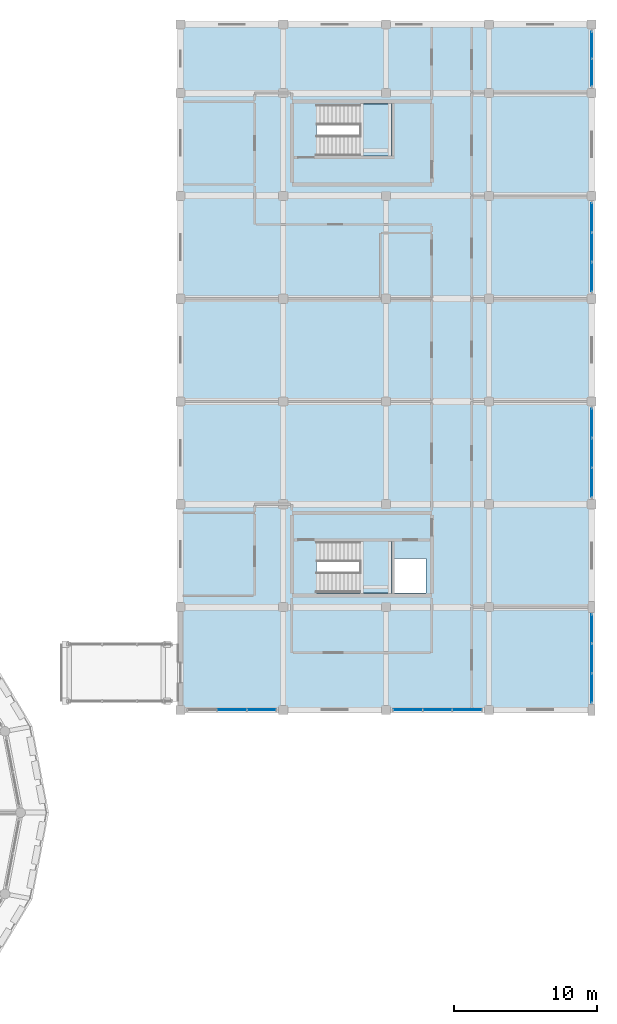
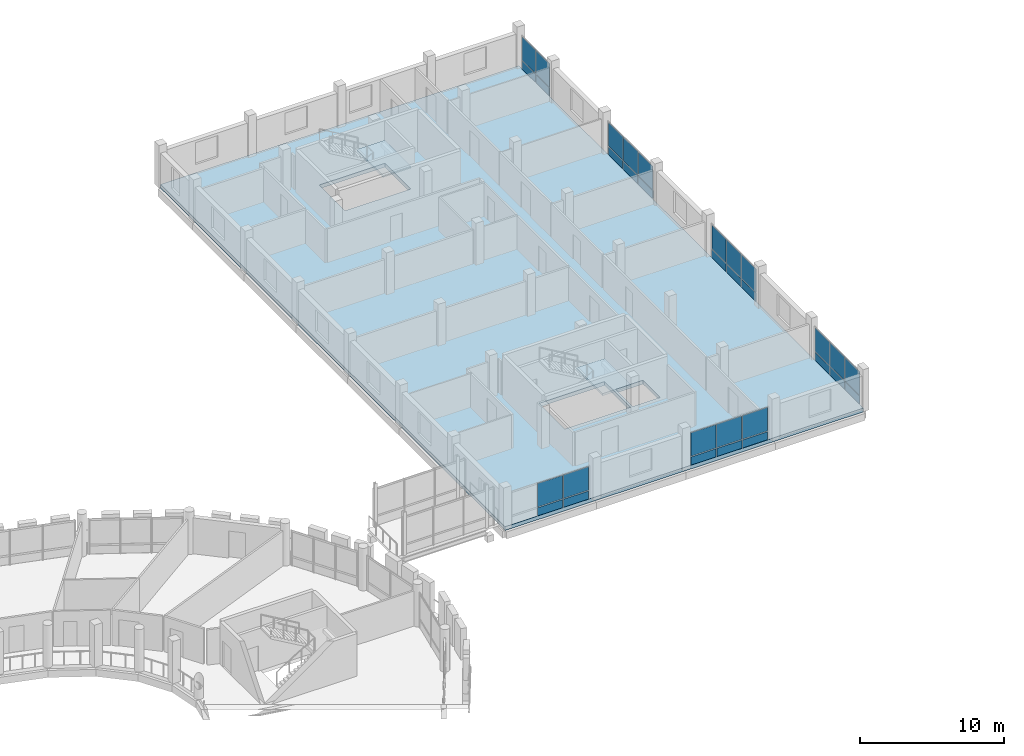
# One storey, part 103 of 128: 32 plates, 3 slabs, 8 elements without a shape of their own.
"""IFC4 building model written with IfcOpenShell, lengths in metres."""

from ifc_helpers import new_model, si_unit, direction, frame, origin, origin_2d, place, context, subcontext, project, spatial, polyline, rectangle, outline, extrude, material, layer, layer_set, type_object, element, aggregate, save


model = new_model("IFC4")

# Units and contexts
model_context = context("Model", 3, precision=1e-05, world=origin(), true_north=direction((0.0, 1.0)))
body_context = subcontext(model_context, "Body", "Model", "MODEL_VIEW")
ifc_project = project(units=[si_unit("LENGTHUNIT", "METRE"), si_unit("AREAUNIT", "SQUARE_METRE"), si_unit("VOLUMEUNIT", "CUBIC_METRE"), si_unit("PLANEANGLEUNIT", "RADIAN"), si_unit("MASSUNIT", "GRAM", prefix="KILO")], contexts=[model_context])

# Site, building, storey
site_placement = place(None, origin())
site = spatial("IfcSite", under=ifc_project, at=site_placement, CompositionType="ELEMENT")
building_placement = place(site_placement, origin())
building = spatial("IfcBuilding", under=site, at=building_placement, Name="Zornivar Specialist Clinic", CompositionType="ELEMENT")
storey_placement = place(building_placement, frame((0.0, 0.0, 4.5)))
storey = spatial("IfcBuildingStorey", under=building, at=storey_placement, Name="L01", CompositionType="ELEMENT", Elevation=4.5)

# Curtain wall, plates
ifc_material_1 = material(Name="Aluminium and Low-E Glass Curtain Wall", Category="aluminium")
curtain_wall_type = type_object("IfcCurtainWallType", Name="CW-LAB-NORTH", PredefinedType="NOTDEFINED", material=ifc_material_1)
curtain_wall_1_placement = place(storey_placement, origin())
curtain_wall_1 = element("IfcCurtainWall", 1, at=curtain_wall_1_placement, inside=storey, type_object=curtain_wall_type, Name="cw:V6:L01:00", PredefinedType="NOTDEFINED")
ifc_material_2 = material(Name="Insulated Limestone-Faced Spandrel Panel", Category="masonry")
ifc_layer_1 = layer(ifc_material_2, 0.05810546875)
ifc_layer_set_1 = layer_set([ifc_layer_1], Name="Insulated Limestone-Faced Spandrel Panel")
plate_type_1 = type_object("IfcPlateType", Name="CWP-SPN-D", PredefinedType="CURTAIN_PANEL", material=ifc_layer_set_1)
plate_1_placement = place(storey_placement, frame((140.39990234375, 64.800048828125, 0.030029296875), z_axis=(0.0, 0.0, 1.0), x_axis=(1.0, 0.0, 0.0)))
plate_1 = element("IfcPlate", 2, at=plate_1_placement, type_object=plate_type_1, Name="cw:V6:L01:00:spn:1", PredefinedType="CURTAIN_PANEL", context=body_context, shape_type="SweptSolid", body=[
    extrude(rectangle(XDim=2.010009765625, YDim=0.05810546875, at=origin_2d()), origin(), (0.0, 0.0, 1.0), 0.68603515625),
])
plate_2_placement = place(storey_placement, frame((142.47998046875, 64.800048828125, 0.030029296875), z_axis=(0.0, 0.0, 1.0), x_axis=(1.0, 0.0, 0.0)))
plate_2 = element("IfcPlate", 3, at=plate_2_placement, type_object=plate_type_1, Name="cw:V6:L01:00:spn:2", PredefinedType="CURTAIN_PANEL", context=body_context, shape_type="SweptSolid", body=[
    extrude(rectangle(XDim=2.010009765625, YDim=0.05810546875, at=origin_2d()), origin(), (0.0, 0.0, 1.0), 0.68603515625),
])

curtain_wall_2_placement = place(storey_placement, origin())
curtain_wall_2 = element("IfcCurtainWall", 4, at=curtain_wall_2_placement, inside=storey, type_object=curtain_wall_type, Name="cw:V6:L01:02", PredefinedType="NOTDEFINED")
plate_3_placement = place(storey_placement, frame((152.719970703125, 64.800048828125, 0.030029296875), z_axis=(0.0, 0.0, 1.0), x_axis=(1.0, 0.0, 0.0)))
plate_3 = element("IfcPlate", 5, at=plate_3_placement, type_object=plate_type_1, Name="cw:V6:L01:02:spn:0", PredefinedType="CURTAIN_PANEL", context=body_context, shape_type="SweptSolid", body=[
    extrude(rectangle(XDim=2.010009765625, YDim=0.05810546875, at=origin_2d()), origin(), (0.0, 0.0, 1.0), 0.68603515625),
])
plate_4_placement = place(storey_placement, frame((154.800048828125, 64.800048828125, 0.030029296875), z_axis=(0.0, 0.0, 1.0), x_axis=(1.0, 0.0, 0.0)))
plate_4 = element("IfcPlate", 6, at=plate_4_placement, type_object=plate_type_1, Name="cw:V6:L01:02:spn:1", PredefinedType="CURTAIN_PANEL", context=body_context, shape_type="SweptSolid", body=[
    extrude(rectangle(XDim=2.010009765625, YDim=0.05810546875, at=origin_2d()), origin(), (0.0, 0.0, 1.0), 0.68603515625),
])
plate_5_placement = place(storey_placement, frame((156.8798828125, 64.800048828125, 0.030029296875), z_axis=(0.0, 0.0, 1.0), x_axis=(1.0, 0.0, 0.0)))
plate_5 = element("IfcPlate", 7, at=plate_5_placement, type_object=plate_type_1, Name="cw:V6:L01:02:spn:2", PredefinedType="CURTAIN_PANEL", context=body_context, shape_type="SweptSolid", body=[
    extrude(rectangle(XDim=2.010009765625, YDim=0.05810546875, at=origin_2d()), origin(), (0.0, 0.0, 1.0), 0.68603515625),
])

curtain_wall_3_placement = place(storey_placement, origin())
curtain_wall_3 = element("IfcCurtainWall", 8, at=curtain_wall_3_placement, inside=storey, type_object=curtain_wall_type, Name="cw:V6:L01:04", PredefinedType="NOTDEFINED")
plate_6_placement = place(storey_placement, frame((165.60009765625, 66.320068359375, 0.030029296875), z_axis=(0.0, 0.0, 1.0), x_axis=(0.0, 1.0, 0.0)))
plate_6 = element("IfcPlate", 9, at=plate_6_placement, type_object=plate_type_1, Name="cw:V6:L01:04:spn:0", PredefinedType="CURTAIN_PANEL", context=body_context, shape_type="SweptSolid", body=[
    extrude(rectangle(XDim=2.010009765625, YDim=0.05810546875, at=origin_2d()), origin(), (0.0, 0.0, 1.0), 0.68603515625),
])
plate_7_placement = place(storey_placement, frame((165.60009765625, 68.39990234375, 0.030029296875), z_axis=(0.0, 0.0, 1.0), x_axis=(0.0, 1.0, 0.0)))
plate_7 = element("IfcPlate", 10, at=plate_7_placement, type_object=plate_type_1, Name="cw:V6:L01:04:spn:1", PredefinedType="CURTAIN_PANEL", context=body_context, shape_type="SweptSolid", body=[
    extrude(rectangle(XDim=2.010009765625, YDim=0.05810546875, at=origin_2d()), origin(), (0.0, 0.0, 1.0), 0.68603515625),
])
plate_8_placement = place(storey_placement, frame((165.60009765625, 70.47998046875, 0.030029296875), z_axis=(0.0, 0.0, 1.0), x_axis=(0.0, 1.0, 0.0)))
plate_8 = element("IfcPlate", 11, at=plate_8_placement, type_object=plate_type_1, Name="cw:V6:L01:04:spn:2", PredefinedType="CURTAIN_PANEL", context=body_context, shape_type="SweptSolid", body=[
    extrude(rectangle(XDim=2.010009765625, YDim=0.05810546875, at=origin_2d()), origin(), (0.0, 0.0, 1.0), 0.68603515625),
])

curtain_wall_4_placement = place(storey_placement, origin())
curtain_wall_4 = element("IfcCurtainWall", 12, at=curtain_wall_4_placement, inside=storey, type_object=curtain_wall_type, Name="cw:V6:L01:06", PredefinedType="NOTDEFINED")
plate_9_placement = place(storey_placement, frame((165.60009765625, 80.719970703125, 0.030029296875), z_axis=(0.0, 0.0, 1.0), x_axis=(0.0, 1.0, 0.0)))
plate_9 = element("IfcPlate", 13, at=plate_9_placement, type_object=plate_type_1, Name="cw:V6:L01:06:spn:0", PredefinedType="CURTAIN_PANEL", context=body_context, shape_type="SweptSolid", body=[
    extrude(rectangle(XDim=2.010009765625, YDim=0.05810546875, at=origin_2d()), origin(), (0.0, 0.0, 1.0), 0.68603515625),
])
plate_10_placement = place(storey_placement, frame((165.60009765625, 82.800048828125, 0.030029296875), z_axis=(0.0, 0.0, 1.0), x_axis=(0.0, 1.0, 0.0)))
plate_10 = element("IfcPlate", 14, at=plate_10_placement, type_object=plate_type_1, Name="cw:V6:L01:06:spn:1", PredefinedType="CURTAIN_PANEL", context=body_context, shape_type="SweptSolid", body=[
    extrude(rectangle(XDim=2.010009765625, YDim=0.05810546875, at=origin_2d()), origin(), (0.0, 0.0, 1.0), 0.68603515625),
])
plate_11_placement = place(storey_placement, frame((165.60009765625, 84.8798828125, 0.030029296875), z_axis=(0.0, 0.0, 1.0), x_axis=(0.0, 1.0, 0.0)))
plate_11 = element("IfcPlate", 15, at=plate_11_placement, type_object=plate_type_1, Name="cw:V6:L01:06:spn:2", PredefinedType="CURTAIN_PANEL", context=body_context, shape_type="SweptSolid", body=[
    extrude(rectangle(XDim=2.010009765625, YDim=0.05810546875, at=origin_2d()), origin(), (0.0, 0.0, 1.0), 0.68603515625),
])

curtain_wall_5_placement = place(storey_placement, origin())
curtain_wall_5 = element("IfcCurtainWall", 16, at=curtain_wall_5_placement, inside=storey, type_object=curtain_wall_type, Name="cw:V6:L01:08", PredefinedType="NOTDEFINED")
plate_12_placement = place(storey_placement, frame((165.60009765625, 95.1201171875, 0.030029296875), z_axis=(0.0, 0.0, 1.0), x_axis=(0.0, 1.0, 0.0)))
plate_12 = element("IfcPlate", 17, at=plate_12_placement, type_object=plate_type_1, Name="cw:V6:L01:08:spn:0", PredefinedType="CURTAIN_PANEL", context=body_context, shape_type="SweptSolid", body=[
    extrude(rectangle(XDim=2.010009765625, YDim=0.05810546875, at=origin_2d()), origin(), (0.0, 0.0, 1.0), 0.68603515625),
])
plate_13_placement = place(storey_placement, frame((165.60009765625, 97.199951171875, 0.030029296875), z_axis=(0.0, 0.0, 1.0), x_axis=(0.0, 1.0, 0.0)))
plate_13 = element("IfcPlate", 18, at=plate_13_placement, type_object=plate_type_1, Name="cw:V6:L01:08:spn:1", PredefinedType="CURTAIN_PANEL", context=body_context, shape_type="SweptSolid", body=[
    extrude(rectangle(XDim=2.010009765625, YDim=0.05810546875, at=origin_2d()), origin(), (0.0, 0.0, 1.0), 0.68603515625),
])
plate_14_placement = place(storey_placement, frame((165.60009765625, 99.280029296875, 0.030029296875), z_axis=(0.0, 0.0, 1.0), x_axis=(0.0, 1.0, 0.0)))
plate_14 = element("IfcPlate", 19, at=plate_14_placement, type_object=plate_type_1, Name="cw:V6:L01:08:spn:2", PredefinedType="CURTAIN_PANEL", context=body_context, shape_type="SweptSolid", body=[
    extrude(rectangle(XDim=2.010009765625, YDim=0.05810546875, at=origin_2d()), origin(), (0.0, 0.0, 1.0), 0.68603515625),
])

curtain_wall_6_placement = place(storey_placement, origin())
curtain_wall_6 = element("IfcCurtainWall", 20, at=curtain_wall_6_placement, inside=storey, type_object=curtain_wall_type, Name="cw:V6:L01:10", PredefinedType="NOTDEFINED")
plate_15_placement = place(storey_placement, frame((165.60009765625, 109.43994140625, 0.030029296875), z_axis=(0.0, 0.0, 1.0), x_axis=(0.0, 1.0, 0.0)))
plate_15 = element("IfcPlate", 21, at=plate_15_placement, type_object=plate_type_1, Name="cw:V6:L01:10:spn:0", PredefinedType="CURTAIN_PANEL", context=body_context, shape_type="SweptSolid", body=[
    extrude(rectangle(XDim=1.85009765625, YDim=0.05810546875, at=origin_2d()), origin(), (0.0, 0.0, 1.0), 0.68603515625),
])
plate_16_placement = place(storey_placement, frame((165.60009765625, 111.360107421875, 0.030029296875), z_axis=(0.0, 0.0, 1.0), x_axis=(0.0, 1.0, 0.0)))
plate_16 = element("IfcPlate", 22, at=plate_16_placement, type_object=plate_type_1, Name="cw:V6:L01:10:spn:1", PredefinedType="CURTAIN_PANEL", context=body_context, shape_type="SweptSolid", body=[
    extrude(rectangle(XDim=1.85009765625, YDim=0.05810546875, at=origin_2d()), origin(), (0.0, 0.0, 1.0), 0.68603515625),
])

# Plate
ifc_material_3 = material(Name="Triple Low-E Vision Glass", Category="glass")
ifc_layer_2 = layer(ifc_material_3, 0.035888671875)
ifc_layer_set_2 = layer_set([ifc_layer_2], Name="Triple Low-E Vision Glass")
plate_type_2 = type_object("IfcPlateType", Name="CWP-VIS-F", PredefinedType="CURTAIN_PANEL", material=ifc_layer_set_2)
plate_17_placement = place(storey_placement, frame((140.39990234375, 64.800048828125, 0.78125), z_axis=(0.0, 0.0, 1.0), x_axis=(1.0, 0.0, 0.0)))
plate_17 = element("IfcPlate", 23, at=plate_17_placement, type_object=plate_type_2, Name="cw:V6:L01:00:vis:1", PredefinedType="CURTAIN_PANEL", context=body_context, shape_type="SweptSolid", body=[
    extrude(rectangle(XDim=2.010009765625, YDim=0.035888671875, at=origin_2d()), origin(), (0.0, 0.0, 1.0), 1.989013671875),
])

plate_18_placement = place(storey_placement, frame((142.47998046875, 64.800048828125, 0.78125), z_axis=(0.0, 0.0, 1.0), x_axis=(1.0, 0.0, 0.0)))
plate_18 = element("IfcPlate", 24, at=plate_18_placement, type_object=plate_type_2, Name="cw:V6:L01:00:vis:2", PredefinedType="CURTAIN_PANEL", context=body_context, shape_type="SweptSolid", body=[
    extrude(rectangle(XDim=2.010009765625, YDim=0.035888671875, at=origin_2d()), origin(), (0.0, 0.0, 1.0), 1.989013671875),
])

aggregate(curtain_wall_1, [plate_1, plate_17, plate_2, plate_18])

plate_19_placement = place(storey_placement, frame((165.60009765625, 66.320068359375, 0.78125), z_axis=(0.0, 0.0, 1.0), x_axis=(0.0, 1.0, 0.0)))
plate_19 = element("IfcPlate", 25, at=plate_19_placement, type_object=plate_type_2, Name="cw:V6:L01:04:vis:0", PredefinedType="CURTAIN_PANEL", context=body_context, shape_type="SweptSolid", body=[
    extrude(rectangle(XDim=2.010009765625, YDim=0.035888671875, at=origin_2d()), origin(), (0.0, 0.0, 1.0), 1.989013671875),
])

plate_20_placement = place(storey_placement, frame((165.60009765625, 68.39990234375, 0.78125), z_axis=(0.0, 0.0, 1.0), x_axis=(0.0, 1.0, 0.0)))
plate_20 = element("IfcPlate", 26, at=plate_20_placement, type_object=plate_type_2, Name="cw:V6:L01:04:vis:1", PredefinedType="CURTAIN_PANEL", context=body_context, shape_type="SweptSolid", body=[
    extrude(rectangle(XDim=2.010009765625, YDim=0.035888671875, at=origin_2d()), origin(), (0.0, 0.0, 1.0), 1.989013671875),
])

plate_21_placement = place(storey_placement, frame((165.60009765625, 70.47998046875, 0.78125), z_axis=(0.0, 0.0, 1.0), x_axis=(0.0, 1.0, 0.0)))
plate_21 = element("IfcPlate", 27, at=plate_21_placement, type_object=plate_type_2, Name="cw:V6:L01:04:vis:2", PredefinedType="CURTAIN_PANEL", context=body_context, shape_type="SweptSolid", body=[
    extrude(rectangle(XDim=2.010009765625, YDim=0.035888671875, at=origin_2d()), origin(), (0.0, 0.0, 1.0), 1.989013671875),
])

aggregate(curtain_wall_3, [plate_6, plate_19, plate_7, plate_20, plate_8, plate_21])

plate_22_placement = place(storey_placement, frame((165.60009765625, 95.1201171875, 0.78125), z_axis=(0.0, 0.0, 1.0), x_axis=(0.0, 1.0, 0.0)))
plate_22 = element("IfcPlate", 28, at=plate_22_placement, type_object=plate_type_2, Name="cw:V6:L01:08:vis:0", PredefinedType="CURTAIN_PANEL", context=body_context, shape_type="SweptSolid", body=[
    extrude(rectangle(XDim=2.010009765625, YDim=0.035888671875, at=origin_2d()), origin(), (0.0, 0.0, 1.0), 1.989013671875),
])

plate_23_placement = place(storey_placement, frame((165.60009765625, 97.199951171875, 0.78125), z_axis=(0.0, 0.0, 1.0), x_axis=(0.0, 1.0, 0.0)))
plate_23 = element("IfcPlate", 29, at=plate_23_placement, type_object=plate_type_2, Name="cw:V6:L01:08:vis:1", PredefinedType="CURTAIN_PANEL", context=body_context, shape_type="SweptSolid", body=[
    extrude(rectangle(XDim=2.010009765625, YDim=0.035888671875, at=origin_2d()), origin(), (0.0, 0.0, 1.0), 1.989013671875),
])

plate_24_placement = place(storey_placement, frame((165.60009765625, 99.280029296875, 0.78125), z_axis=(0.0, 0.0, 1.0), x_axis=(0.0, 1.0, 0.0)))
plate_24 = element("IfcPlate", 30, at=plate_24_placement, type_object=plate_type_2, Name="cw:V6:L01:08:vis:2", PredefinedType="CURTAIN_PANEL", context=body_context, shape_type="SweptSolid", body=[
    extrude(rectangle(XDim=2.010009765625, YDim=0.035888671875, at=origin_2d()), origin(), (0.0, 0.0, 1.0), 1.989013671875),
])

aggregate(curtain_wall_5, [plate_12, plate_22, plate_13, plate_23, plate_14, plate_24])

ifc_material_4 = material(Name="Triple Low-E Vision Glass", Category="glass")
ifc_layer_3 = layer(ifc_material_4, 0.035888671875)
ifc_layer_set_3 = layer_set([ifc_layer_3], Name="Triple Low-E Vision Glass")
plate_type_3 = type_object("IfcPlateType", Name="CWP-VIS-G", PredefinedType="CURTAIN_PANEL", material=ifc_layer_set_3)
plate_25_placement = place(storey_placement, frame((152.719970703125, 64.800048828125, 0.78125), z_axis=(0.0, 0.0, 1.0), x_axis=(1.0, 0.0, 0.0)))
plate_25 = element("IfcPlate", 31, at=plate_25_placement, type_object=plate_type_3, Name="cw:V6:L01:02:vis:0", PredefinedType="CURTAIN_PANEL", context=body_context, shape_type="SweptSolid", body=[
    extrude(rectangle(XDim=2.010009765625, YDim=0.035888671875, at=origin_2d()), origin(), (0.0, 0.0, 1.0), 1.989013671875),
])

plate_26_placement = place(storey_placement, frame((154.800048828125, 64.800048828125, 0.78125), z_axis=(0.0, 0.0, 1.0), x_axis=(1.0, 0.0, 0.0)))
plate_26 = element("IfcPlate", 32, at=plate_26_placement, type_object=plate_type_3, Name="cw:V6:L01:02:vis:1", PredefinedType="CURTAIN_PANEL", context=body_context, shape_type="SweptSolid", body=[
    extrude(rectangle(XDim=2.010009765625, YDim=0.035888671875, at=origin_2d()), origin(), (0.0, 0.0, 1.0), 1.989013671875),
])

plate_27_placement = place(storey_placement, frame((156.8798828125, 64.800048828125, 0.78125), z_axis=(0.0, 0.0, 1.0), x_axis=(1.0, 0.0, 0.0)))
plate_27 = element("IfcPlate", 33, at=plate_27_placement, type_object=plate_type_3, Name="cw:V6:L01:02:vis:2", PredefinedType="CURTAIN_PANEL", context=body_context, shape_type="SweptSolid", body=[
    extrude(rectangle(XDim=2.010009765625, YDim=0.035888671875, at=origin_2d()), origin(), (0.0, 0.0, 1.0), 1.989013671875),
])

aggregate(curtain_wall_2, [plate_3, plate_25, plate_4, plate_26, plate_5, plate_27])

plate_28_placement = place(storey_placement, frame((165.60009765625, 80.719970703125, 0.78125), z_axis=(0.0, 0.0, 1.0), x_axis=(0.0, 1.0, 0.0)))
plate_28 = element("IfcPlate", 34, at=plate_28_placement, type_object=plate_type_3, Name="cw:V6:L01:06:vis:0", PredefinedType="CURTAIN_PANEL", context=body_context, shape_type="SweptSolid", body=[
    extrude(rectangle(XDim=2.010009765625, YDim=0.035888671875, at=origin_2d()), origin(), (0.0, 0.0, 1.0), 1.989013671875),
])

plate_29_placement = place(storey_placement, frame((165.60009765625, 82.800048828125, 0.78125), z_axis=(0.0, 0.0, 1.0), x_axis=(0.0, 1.0, 0.0)))
plate_29 = element("IfcPlate", 35, at=plate_29_placement, type_object=plate_type_3, Name="cw:V6:L01:06:vis:1", PredefinedType="CURTAIN_PANEL", context=body_context, shape_type="SweptSolid", body=[
    extrude(rectangle(XDim=2.010009765625, YDim=0.035888671875, at=origin_2d()), origin(), (0.0, 0.0, 1.0), 1.989013671875),
])

plate_30_placement = place(storey_placement, frame((165.60009765625, 84.8798828125, 0.78125), z_axis=(0.0, 0.0, 1.0), x_axis=(0.0, 1.0, 0.0)))
plate_30 = element("IfcPlate", 36, at=plate_30_placement, type_object=plate_type_3, Name="cw:V6:L01:06:vis:2", PredefinedType="CURTAIN_PANEL", context=body_context, shape_type="SweptSolid", body=[
    extrude(rectangle(XDim=2.010009765625, YDim=0.035888671875, at=origin_2d()), origin(), (0.0, 0.0, 1.0), 1.989013671875),
])

aggregate(curtain_wall_4, [plate_9, plate_28, plate_10, plate_29, plate_11, plate_30])

plate_31_placement = place(storey_placement, frame((165.60009765625, 109.43994140625, 0.78125), z_axis=(0.0, 0.0, 1.0), x_axis=(0.0, 1.0, 0.0)))
plate_31 = element("IfcPlate", 37, at=plate_31_placement, type_object=plate_type_3, Name="cw:V6:L01:10:vis:0", PredefinedType="CURTAIN_PANEL", context=body_context, shape_type="SweptSolid", body=[
    extrude(rectangle(XDim=1.85009765625, YDim=0.035888671875, at=origin_2d()), origin(), (0.0, 0.0, 1.0), 1.989013671875),
])

plate_32_placement = place(storey_placement, frame((165.60009765625, 111.360107421875, 0.78125), z_axis=(0.0, 0.0, 1.0), x_axis=(0.0, 1.0, 0.0)))
plate_32 = element("IfcPlate", 38, at=plate_32_placement, type_object=plate_type_3, Name="cw:V6:L01:10:vis:1", PredefinedType="CURTAIN_PANEL", context=body_context, shape_type="SweptSolid", body=[
    extrude(rectangle(XDim=1.85009765625, YDim=0.035888671875, at=origin_2d()), origin(), (0.0, 0.0, 1.0), 1.989013671875),
])

aggregate(curtain_wall_6, [plate_15, plate_31, plate_16, plate_32])

# Slab
ifc_material_5 = material(Name="Concrete C30/37", Category="concrete")
ifc_layer_4 = layer(ifc_material_5, 0.320068359375)
ifc_layer_set_4 = layer_set([ifc_layer_4], Name="Concrete C30/37")
slab_type_1 = type_object("IfcSlabType", Name="SLB-FLR-LAB-320", PredefinedType="FLOOR", material=ifc_layer_set_4)
slab_1_placement = place(storey_placement, frame((0.0, 0.0, -0.320068359375)))
element("IfcSlab", 39, at=slab_1_placement, inside=storey, type_object=slab_type_1, Name="slab:V6:L01:main", PredefinedType="FLOOR", context=body_context, shape_type="SweptSolid", body=[
    extrude(outline(polyline([(136.800048828125, 64.800048828125), (165.60009765625, 64.800048828125), (165.60009765625, 112.800048828125), (136.800048828125, 112.800048828125), (136.800048828125, 64.800048828125)]), holes=[polyline([(146.320068359375, 73.0), (151.60009765625, 73.0), (151.60009765625, 76.60009765625), (146.320068359375, 76.60009765625), (146.320068359375, 73.0)]), polyline([(151.800048828125, 73.0), (154.0, 73.0), (154.0, 75.39990234375), (151.800048828125, 75.39990234375), (151.800048828125, 73.0)]), polyline([(146.320068359375, 103.60009765625), (151.60009765625, 103.60009765625), (151.60009765625, 107.199951171875), (146.320068359375, 107.199951171875), (146.320068359375, 103.60009765625)])]), origin(), (0.0, 0.0, 1.0), 0.320068359375),
])

# Stair, slab
ifc_material_6 = material(Name="Concrete C30/37", Category="concrete")
stair_type = type_object("IfcStairType", Name="STR-CORE-TYP-3900", PredefinedType="HALF_TURN_STAIR", material=ifc_material_6)
stair_1_placement = place(storey_placement, origin())
stair_1 = element("IfcStair", 40, at=stair_1_placement, inside=storey, type_object=stair_type, Name="stair:C9:L01", PredefinedType="HALF_TURN_STAIR")
ifc_material_7 = material(Name="Concrete C30/37", Category="concrete")
ifc_layer_5 = layer(ifc_material_7, 0.179931640625)
ifc_layer_set_5 = layer_set([ifc_layer_5], Name="Concrete C30/37")
slab_type_2 = type_object("IfcSlabType", Name="SLB-LANDING-180", PredefinedType="LANDING", material=ifc_layer_set_5)
slab_2_placement = place(storey_placement, frame((0.0, 0.0, 1.77001953125)))
slab_2 = element("IfcSlab", 41, at=slab_2_placement, type_object=slab_type_2, Name="stair:C9:L01:land", PredefinedType="LANDING", context=body_context, shape_type="SweptSolid", body=[
    extrude(outline(polyline([(149.360107421875, 72.97998046875), (151.6201171875, 72.97998046875), (151.6201171875, 76.6201171875), (149.360107421875, 76.6201171875), (149.360107421875, 72.97998046875)])), origin(), (0.0, 0.0, 1.0), 0.179931640625),
])
aggregate(stair_1, [slab_2])

stair_2_placement = place(storey_placement, origin())
stair_2 = element("IfcStair", 42, at=stair_2_placement, inside=storey, type_object=stair_type, Name="stair:C10:L01", PredefinedType="HALF_TURN_STAIR")
slab_3_placement = place(storey_placement, frame((0.0, 0.0, 1.77001953125)))
slab_3 = element("IfcSlab", 43, at=slab_3_placement, type_object=slab_type_2, Name="stair:C10:L01:land", PredefinedType="LANDING", context=body_context, shape_type="SweptSolid", body=[
    extrude(outline(polyline([(149.360107421875, 103.580078125), (151.6201171875, 103.580078125), (151.6201171875, 107.219970703125), (149.360107421875, 107.219970703125), (149.360107421875, 103.580078125)])), origin(), (0.0, 0.0, 1.0), 0.179931640625),
])
aggregate(stair_2, [slab_3])

save(model, "model.ifc")
